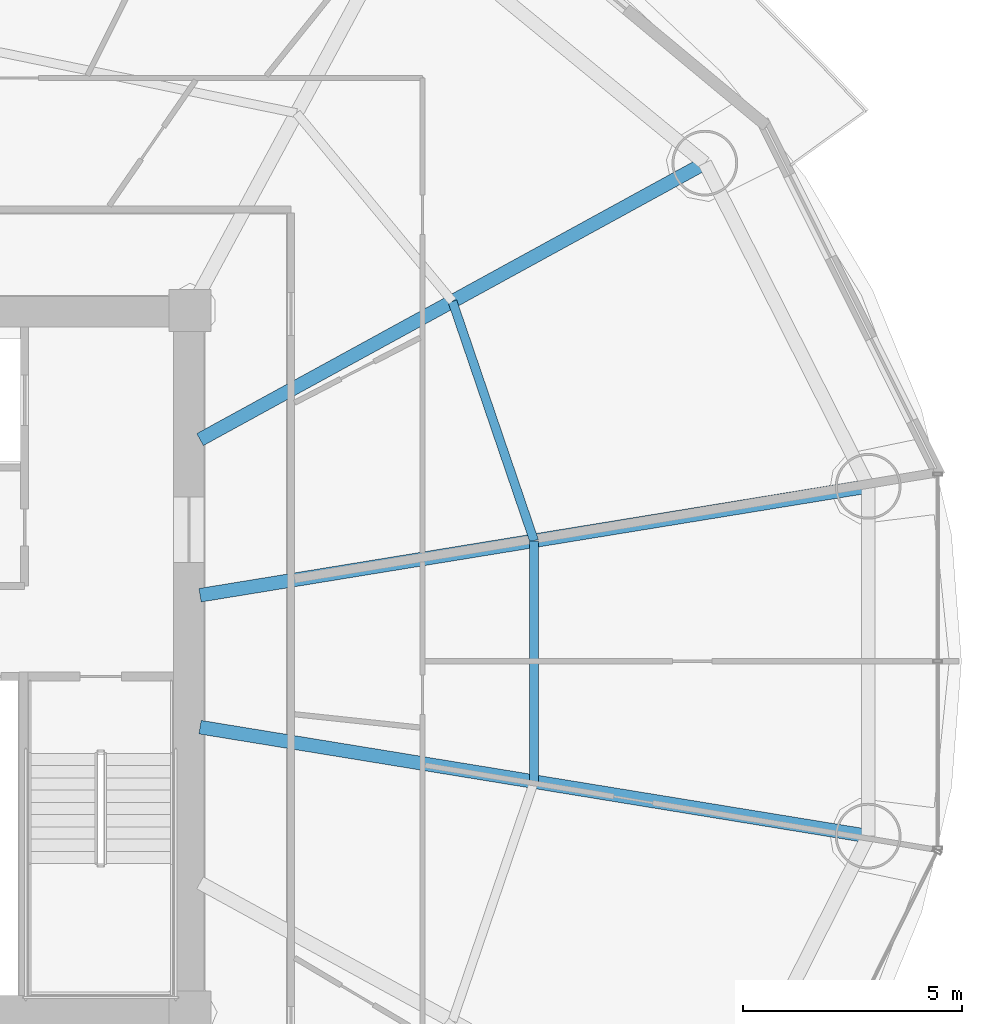
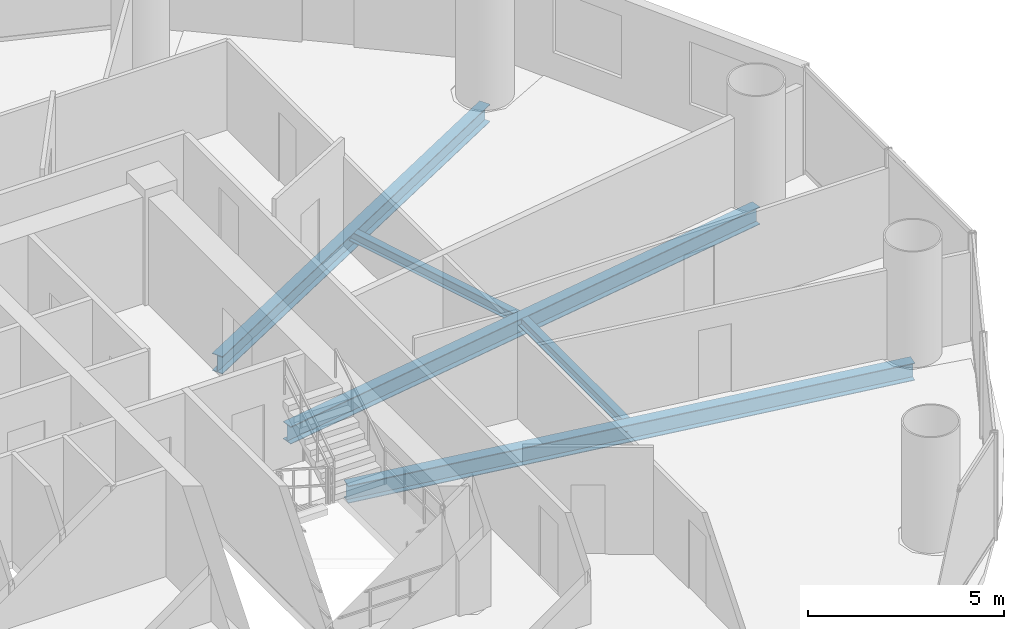
# One storey, part 14 of 29: 5 beams.
"""IFC4 building model written with IfcOpenShell, lengths in metres."""

from ifc_helpers import new_model, si_unit, direction, frame, origin, origin_2d, place, context, subcontext, project, spatial, i_section, extrude, material, material_profile, profile_set, type_object, element, save


model = new_model("IFC4")

# Units and contexts
model_context = context("Model", 3, precision=1e-05, world=origin(), true_north=direction((-0.2419218956, 0.970295726276)))
body_context = subcontext(model_context, "Body", "Model", "MODEL_VIEW")
ifc_project = project(units=[si_unit("LENGTHUNIT", "METRE"), si_unit("AREAUNIT", "SQUARE_METRE"), si_unit("VOLUMEUNIT", "CUBIC_METRE"), si_unit("PLANEANGLEUNIT", "RADIAN"), si_unit("MASSUNIT", "GRAM", prefix="KILO")], contexts=[model_context])

# Site, building, storey
site_placement = place(None, origin())
site = spatial("IfcSite", under=ifc_project, at=site_placement, CompositionType="ELEMENT")
building_placement = place(site_placement, origin())
building = spatial("IfcBuilding", under=site, at=building_placement, Name="Cobrevalo Terracotta Tower", CompositionType="ELEMENT")
storey_placement = place(building_placement, frame((0.0, 0.0, 123.0)))
storey = spatial("IfcBuildingStorey", under=building, at=storey_placement, Name="L32", CompositionType="ELEMENT", Elevation=123.0)

# Beams
ifc_material = material(Name="Steel S355", Category="steel")
ifc_material_profile_1 = material_profile(ifc_material, i_section(OverallWidth=0.31201171875, OverallDepth=0.54296875, WebThickness=0.0126953125, FlangeThickness=0.020263671875, at=origin_2d()), Name="W 530x150")
ifc_profile_set_1 = profile_set([ifc_material_profile_1], Name="Steel S355")
beam_type_1 = type_object("IfcBeamType", Name="Structural Beam W 530x150 (Steel S355)", PredefinedType="BEAM", material=ifc_profile_set_1)
beam_1_placement = place(storey_placement, frame((62.470703125, 30.78955078125, -0.54638671875), z_axis=(-0.986970567439, -0.160900898101, 0.0), x_axis=(0.160900898101, -0.986970567439, 0.0)))
element("IfcBeam", 1, at=beam_1_placement, inside=storey, type_object=beam_type_1, Name="L32 radial floor girder 01", PredefinedType="BEAM", context=body_context, shape_type="SweptSolid", body=[
    extrude(i_section(OverallWidth=0.31201171875, OverallDepth=0.54296875, WebThickness=0.0126953125, FlangeThickness=0.020263671875, at=origin_2d()), origin(), (0.0, 0.0, 1.0), 15.44189453125),
])
beam_2_placement = place(storey_placement, frame((58.7451171875, 38.161376953125, -0.54638671875), z_axis=(-0.877080599376, -0.480343233738, 0.0), x_axis=(0.480343233738, -0.877080599376, 0.0)))
element("IfcBeam", 2, at=beam_2_placement, inside=storey, type_object=beam_type_1, Name="L32 radial floor girder 02", PredefinedType="BEAM", context=body_context, shape_type="SweptSolid", body=[
    extrude(i_section(OverallWidth=0.31201171875, OverallDepth=0.54296875, WebThickness=0.0126953125, FlangeThickness=0.020263671875, at=origin_2d()), origin(), (0.0, 0.0, 1.0), 13.12890625),
])
beam_3_placement = place(storey_placement, frame((62.470703125, 22.810302734375, -0.54638671875), z_axis=(-0.986968056587, 0.160916298977, 0.0), x_axis=(-0.160916298977, -0.986968056587, 0.0)))
element("IfcBeam", 3, at=beam_3_placement, inside=storey, type_object=beam_type_1, Name="L32 radial floor girder 16", PredefinedType="BEAM", context=body_context, shape_type="SweptSolid", body=[
    extrude(i_section(OverallWidth=0.31201171875, OverallDepth=0.54296875, WebThickness=0.0126953125, FlangeThickness=0.020263671875, at=origin_2d()), origin(), (0.0, 0.0, 1.0), 15.44189453125),
])
ifc_material_profile_2 = material_profile(ifc_material, i_section(OverallWidth=0.2041015625, OverallDepth=0.305908203125, WebThickness=0.008544921875, FlangeThickness=0.0146484375, at=origin_2d()), Name="W 310x67")
ifc_profile_set_2 = profile_set([ifc_material_profile_2], Name="Steel S355")
beam_type_2 = type_object("IfcBeamType", Name="Structural Joist W 310x67 (Steel S355)", PredefinedType="JOIST", material=ifc_profile_set_2)
beam_4_placement = place(storey_placement, frame((54.850341796875, 29.547119140625, -0.427978515625), z_axis=(-0.322833299398, 0.94645584197, 0.0), x_axis=(-0.94645584197, -0.322833299398, 0.0)))
element("IfcBeam", 4, at=beam_4_placement, inside=storey, type_object=beam_type_2, Name="L32 circumferential secondary floor joist 01", PredefinedType="JOIST", context=body_context, shape_type="SweptSolid", body=[
    extrude(i_section(OverallWidth=0.2041015625, OverallDepth=0.305908203125, WebThickness=0.008544921875, FlangeThickness=0.0146484375, at=origin_2d()), origin(), (0.0, 0.0, 1.0), 5.77001953125),
])
beam_5_placement = place(storey_placement, frame((54.850341796875, 24.052734375, -0.427978515625), z_axis=(0.0, 1.0, 0.0), x_axis=(-1.0, 0.0, 0.0)))
element("IfcBeam", 5, at=beam_5_placement, inside=storey, type_object=beam_type_2, Name="L32 circumferential secondary floor joist 16", PredefinedType="JOIST", context=body_context, shape_type="SweptSolid", body=[
    extrude(i_section(OverallWidth=0.2041015625, OverallDepth=0.305908203125, WebThickness=0.008544921875, FlangeThickness=0.0146484375, at=origin_2d()), origin(), (0.0, 0.0, 1.0), 5.494384765625),
])

save(model, "model.ifc")
